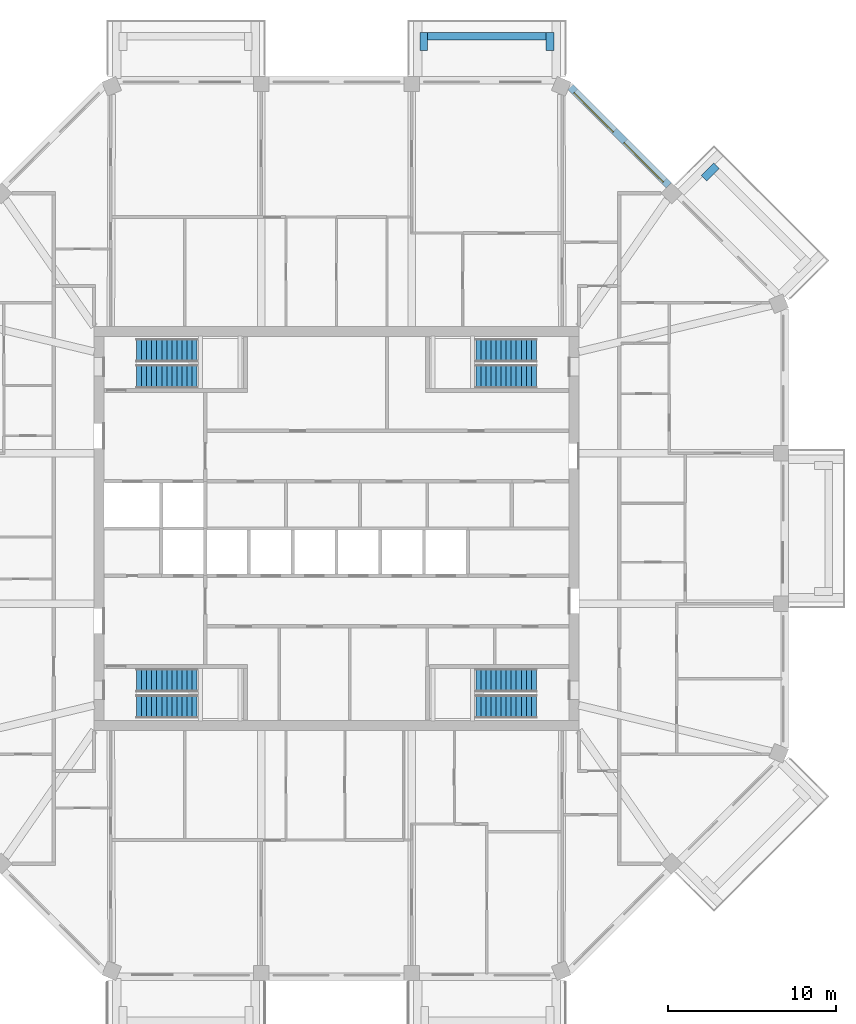
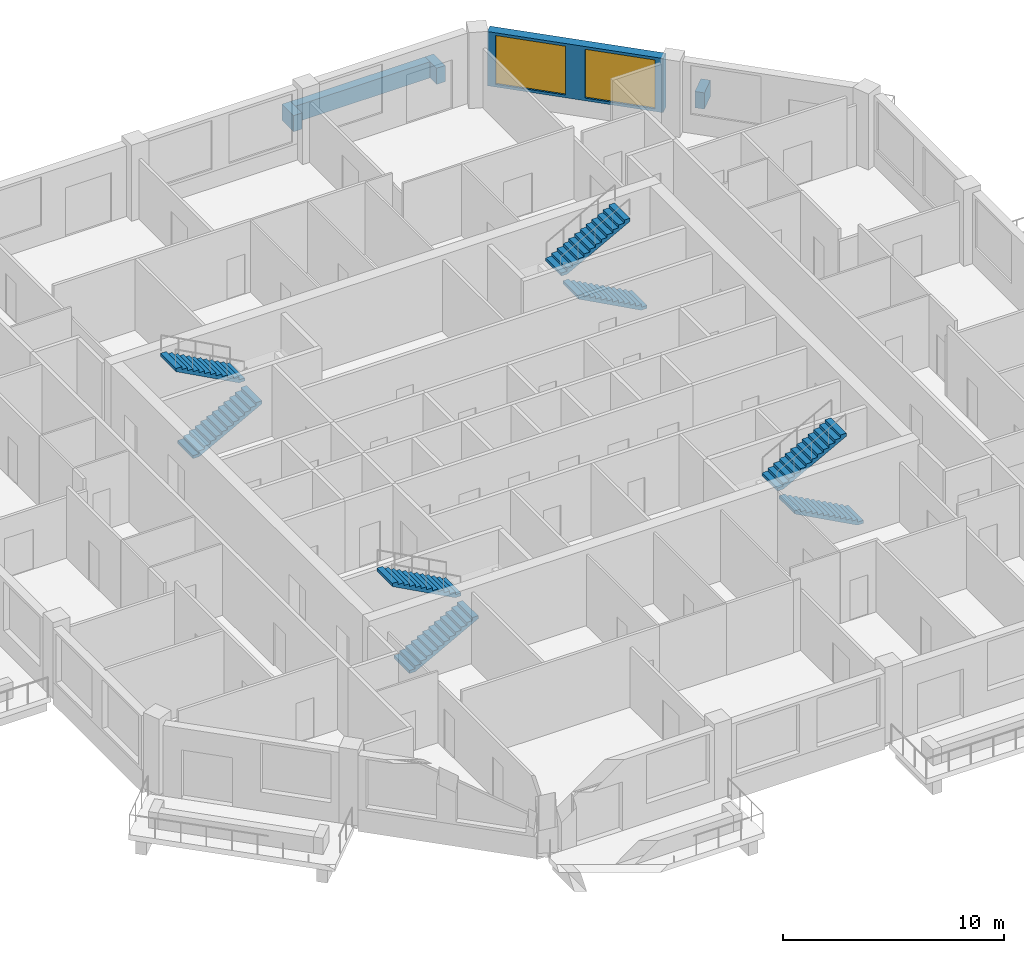
# One storey, part 10 of 12: 8 stair flights, 5 walls, 2 windows, 2 openings, 4 elements without a shape of their own.
"""IFC4 building model written with IfcOpenShell, lengths in metres."""

import ifcopenshell
import ifcopenshell.guid

model = None  # the IFC model being written
_history = None  # IfcOwnerHistory: only IFC2X3 demands one
_inside = {}  # id of a spatial element -> (the spatial element, [elements in it])
_under = {}  # id of a project, library or spatial element -> (it, [spatial elements below it])
_declared = {}  # id of a project -> (the project, [libraries it declares])
_typed = {}  # id of a type object -> (the type object, [elements of that type])
_made_of = {}  # id of a material, layer set ... -> (it, [elements and type objects made of it])


def new_model(schema):
    """Start an empty IFC model of exactly this schema.

    Asked for "IFC4X3", IfcOpenShell would pick the latest addendum, in which some entities
    have other attributes; the version numbers below select the first issue.
    IFC2X3 requires an IfcOwnerHistory on every rooted entity: one is made here for all.
    """
    global model, _history
    if schema == "IFC4X3":
        model = ifcopenshell.file(schema_version=(4, 3, 0, 0))
    else:
        model = ifcopenshell.file(schema=schema)
    _inside.clear()
    _under.clear()
    _declared.clear()
    _typed.clear()
    _made_of.clear()
    _history = None
    if model.schema == "IFC2X3":
        org = make("IfcOrganization", Name="unknown")
        user = make(
            "IfcPersonAndOrganization",
            ThePerson=make("IfcPerson", FamilyName="unknown"),
            TheOrganization=org,
        )
        app = make(
            "IfcApplication",
            ApplicationDeveloper=org,
            Version="unknown",
            ApplicationFullName="unknown",
            ApplicationIdentifier="unknown",
        )
        _history = make(
            "IfcOwnerHistory",
            OwningUser=user,
            OwningApplication=app,
            ChangeAction="ADDED",
            CreationDate=0,
        )
    return model


def make(cls, **values):
    """One entity of the class cls with the attributes given. An attribute that is None is left unset."""
    return model.create_entity(
        cls, **{name: value for name, value in values.items() if value is not None}
    )


def rooted(cls, **values):
    """An entity with a GlobalId (a new one), such as an element, a storey or a relation."""
    return make(cls, GlobalId=ifcopenshell.guid.new(), OwnerHistory=_history, **values)


def si_unit(unit_type, name, prefix=None):
    """IfcSIUnit, for example si_unit("LENGTHUNIT", "METRE", prefix="MILLI")."""
    return make("IfcSIUnit", UnitType=unit_type, Prefix=prefix, Name=name)


def assignment(units):
    """IfcUnitAssignment: the units of a project."""
    return None if units is None else make("IfcUnitAssignment", Units=units)


def point(xyz):
    """IfcCartesianPoint."""
    return None if xyz is None else make("IfcCartesianPoint", Coordinates=xyz)


def direction(xyz):
    """IfcDirection."""
    return None if xyz is None else make("IfcDirection", DirectionRatios=xyz)


def frame(location, z_axis=None, x_axis=None):
    """IfcAxis2Placement3D, a coordinate frame: its origin and axes. An axis left out is left unset."""
    return make(
        "IfcAxis2Placement3D",
        Location=point(location),
        Axis=direction(z_axis),
        RefDirection=direction(x_axis),
    )


def frame_2d(location, x_axis=None):
    """IfcAxis2Placement2D, a coordinate frame in the plane: its origin and x axis."""
    return make(
        "IfcAxis2Placement2D", Location=point(location), RefDirection=direction(x_axis)
    )


def origin():
    """The frame at (0, 0, 0) with its axes left unset."""
    return frame((0.0, 0.0, 0.0))


def place(relative_to, where):
    """IfcLocalPlacement: puts the frame where relative to a parent placement (None: the world)."""
    return make(
        "IfcLocalPlacement", PlacementRelTo=relative_to, RelativePlacement=where
    )


def context(
    kind, dimensions, precision=None, world=None, true_north=None, identifier=None
):
    """IfcGeometricRepresentationContext, for example the 3D "Model" context."""
    return make(
        "IfcGeometricRepresentationContext",
        ContextIdentifier=identifier,
        ContextType=kind,
        CoordinateSpaceDimension=dimensions,
        Precision=precision,
        WorldCoordinateSystem=world,
        TrueNorth=true_north,
    )


def subcontext(parent, identifier, kind, view, scale=None):
    """IfcGeometricRepresentationSubContext, for example "Body" below "Model"."""
    return make(
        "IfcGeometricRepresentationSubContext",
        ContextIdentifier=identifier,
        ContextType=kind,
        ParentContext=parent,
        TargetScale=scale,
        TargetView=view,
    )


def project(units=None, contexts=None):
    """IfcProject with its units and contexts."""
    return rooted(
        "IfcProject",
        Name="project",
        RepresentationContexts=contexts,
        UnitsInContext=assignment(units),
    )


def spatial(cls, under=None, at=None, **own):
    """A site, building, storey or space (cls), placed at a placement, below another one or the project."""
    s = rooted(cls, ObjectPlacement=at, **own)
    if under is not None:
        _under.setdefault(under.id(), (under, []))[1].append(s)
    return s


def polyline(points):
    """IfcPolyline through the points."""
    return make("IfcPolyline", Points=[point(p) for p in points])


def profile(cls, at=None, kind="AREA", **sizes):
    """A parametric profile (cls). Its sizes go by their IFC names, for example OverallWidth=200.0."""
    return make(cls, ProfileType=kind, Position=at, **sizes)


def rectangle(**sizes):
    """IfcRectangleProfileDef."""
    return profile("IfcRectangleProfileDef", **sizes)


def outline(outer, holes=None, kind="AREA"):
    """IfcArbitraryClosedProfileDef: a profile drawn as a closed curve; with holes, ...WithVoids."""
    if holes is None:
        return make("IfcArbitraryClosedProfileDef", ProfileType=kind, OuterCurve=outer)
    return make(
        "IfcArbitraryProfileDefWithVoids",
        ProfileType=kind,
        OuterCurve=outer,
        InnerCurves=holes,
    )


def extrude(swept, where, along, depth):
    """IfcExtrudedAreaSolid: the profile swept, set in the frame where, extruded along a direction by depth."""
    return make(
        "IfcExtrudedAreaSolid",
        SweptArea=swept,
        Position=where,
        ExtrudedDirection=direction(along),
        Depth=depth,
    )


def shape(context_of_items, identifier, shape_type, items):
    """IfcShapeRepresentation: the items that make up one representation, for example the "Body"."""
    return make(
        "IfcShapeRepresentation",
        ContextOfItems=context_of_items,
        RepresentationIdentifier=identifier,
        RepresentationType=shape_type,
        Items=items,
    )


def material(Name=None, Category=None):
    """IfcMaterial."""
    return make("IfcMaterial", Name=Name, Category=Category)


def layer(
    of_material, thickness, ventilated=None, Name=None, Category=None, Priority=None
):
    """IfcMaterialLayer: one layer of a wall or slab, of a material (None: an air gap)."""
    return make(
        "IfcMaterialLayer",
        Material=of_material,
        LayerThickness=thickness,
        IsVentilated=ventilated,
        Name=Name,
        Category=Category,
        Priority=Priority,
    )


def layer_set(layers, Name=None):
    """IfcMaterialLayerSet."""
    return make("IfcMaterialLayerSet", MaterialLayers=layers, LayerSetName=Name)


def made_of(thing, what):
    """Note that an element or type object is made of a material, layer set ...; save() writes the relation."""
    if what is not None:
        _made_of.setdefault(what.id(), (what, []))[1].append(thing)
    return thing


def type_object(cls, material=None, **own):
    """A type object (cls), such as IfcWallType, which elements share."""
    return made_of(rooted(cls, **own), material)


def element(
    cls,
    number,
    at=None,
    inside=None,
    cuts=None,
    type_object=None,
    material=None,
    context=None,
    identifier="Body",
    shape_type=None,
    held_by="IfcProductDefinitionShape",
    body=None,
    shapes=None,
    **own,
):
    """One element of the class cls, such as IfcWall. Its Tag is "e" and its number.

    at: its placement. inside: the storey or other place that contains it. cuts: it is an
    opening in that element (IfcRelVoidsElement). A single representation is given by context,
    identifier, shape_type and body (its items); several are given by shapes. held_by: the class
    of the entity that holds the representations. save() writes the other relations.
    """
    e = rooted(cls, Tag="e%d" % number, ObjectPlacement=at, **own)
    if body is not None:
        shapes = [shape(context, identifier, shape_type, body)]
    if shapes is not None:
        e.Representation = make(held_by, Representations=shapes)
    if inside is not None:
        _inside.setdefault(inside.id(), (inside, []))[1].append(e)
    if cuts is not None:
        rooted(
            "IfcRelVoidsElement", RelatingBuildingElement=cuts, RelatedOpeningElement=e
        )
    if type_object is not None:
        _typed.setdefault(type_object.id(), (type_object, []))[1].append(e)
    return made_of(e, material)


def fill(opening, filler):
    """IfcRelFillsElement: the door or window that sits in an opening."""
    return rooted(
        "IfcRelFillsElement",
        RelatingOpeningElement=opening,
        RelatedBuildingElement=filler,
    )


def aggregate(whole, parts):
    """IfcRelAggregates: a whole, such as a stair, and the parts it consists of."""
    return rooted("IfcRelAggregates", RelatingObject=whole, RelatedObjects=parts)


def save(model, path):
    """Write the relations noted so far, then the file.

    IfcRelAggregates (storeys below a building ...), IfcRelContainedInSpatialStructure (elements
    in a storey), IfcRelDefinesByType, IfcRelAssociatesMaterial and IfcRelDeclares: one each for
    every whole, place, type object, material and project.
    """
    for whole, parts in _under.values():
        aggregate(whole, parts)
    for where, things in _inside.values():
        rooted(
            "IfcRelContainedInSpatialStructure",
            RelatedElements=things,
            RelatingStructure=where,
        )
    for kind, things in _typed.values():
        rooted("IfcRelDefinesByType", RelatedObjects=things, RelatingType=kind)
    for what, things in _made_of.values():
        rooted("IfcRelAssociatesMaterial", RelatedObjects=things, RelatingMaterial=what)
    for by, libraries in _declared.values():
        rooted("IfcRelDeclares", RelatingContext=by, RelatedDefinitions=libraries)
    model.write(path)


model = new_model("IFC4")

# Units and contexts
model_context = context("Model", 3, precision=1e-05, world=origin(), true_north=direction((0.0, 1.0)))
body_context = subcontext(model_context, "Body", "Model", "MODEL_VIEW")
ifc_project = project(units=[si_unit("LENGTHUNIT", "METRE"), si_unit("AREAUNIT", "SQUARE_METRE"), si_unit("VOLUMEUNIT", "CUBIC_METRE"), si_unit("PLANEANGLEUNIT", "RADIAN"), si_unit("MASSUNIT", "GRAM", prefix="KILO")], contexts=[model_context])

# Site, building, storey
site_placement = place(None, origin())
site = spatial("IfcSite", under=ifc_project, at=site_placement, CompositionType="ELEMENT")
building_placement = place(site_placement, origin())
building = spatial("IfcBuilding", under=site, at=building_placement, Name="Msitu Wima Residences", CompositionType="ELEMENT")
storey_placement = place(building_placement, frame((0.0, 0.0, 222.300048828125)))
storey = spatial("IfcBuildingStorey", under=building, at=storey_placement, Name="L51", CompositionType="ELEMENT", Elevation=222.300048828125)

# Walls
ifc_material_1 = material(Name="Facing brick")
ifc_layer_1 = layer(ifc_material_1, 0.06494140625, Name="Facing brick")
ifc_material_2 = material(Name="Concrete C40/50", Category="concrete")
ifc_layer_2 = layer(ifc_material_2, 0.156005859375, Name="Concrete C40/50")
ifc_material_3 = material(Name="Waterproofing membrane")
ifc_layer_3 = layer(ifc_material_3, 0.00390625, Name="Waterproofing membrane")
ifc_material_4 = material(Name="Planting soil and planting")
ifc_layer_4 = layer(ifc_material_4, 0.22509765625, Name="Planting soil and planting")
ifc_layer_set_1 = layer_set([ifc_layer_1, ifc_layer_2, ifc_layer_3, ifc_layer_4], Name="Concrete C40/50")
wall_type_1 = type_object("IfcWallType", Name="Balcony planter PLANTER PL450", PredefinedType="USERDEFINED", material=ifc_layer_set_1)
wall_1_placement = place(storey_placement, frame((21.829833984375, 20.804443359375, 0.0), z_axis=(0.0, 0.0, 1.0), x_axis=(0.707106781187, 0.707106781187, 0.0)))
element("IfcWall", 1, at=wall_1_placement, inside=storey, type_object=wall_type_1, Name="Balcony planter NE0 L51", ObjectType="PLANTER", PredefinedType="USERDEFINED", context=body_context, shape_type="SweptSolid", body=[
    extrude(rectangle(XDim=1.050048828125, YDim=0.449951171875, at=frame_2d((0.52490234375, 0.0))), origin(), (0.0, 0.0, 1.0), 0.89990234375),
])
wall_2_placement = place(storey_placement, frame((12.455810546875, 29.22509765625, 0.0), z_axis=(0.0, 0.0, 1.0), x_axis=(-1.0, 0.0, 0.0)))
element("IfcWall", 2, at=wall_2_placement, inside=storey, type_object=wall_type_1, Name="Balcony planter N0 L51", ObjectType="PLANTER", PredefinedType="USERDEFINED", context=body_context, shape_type="SweptSolid", body=[
    extrude(rectangle(XDim=7.037109375, YDim=0.449951171875, at=frame_2d((3.5185546875, 0.0))), origin(), (0.0, 0.0, 1.0), 0.89990234375),
])
for number, where, z_axis, x_axis, name in (
    (3, (12.680908203125, 28.39990234375, 0.0), (0.0, 0.0, 1.0), (0.0, 1.0, 0.0), "Balcony planter N0 L51"),
    (4, (5.193603515625, 28.39990234375, 0.0), (0.0, 0.0, 1.0), (0.0, 1.0, 0.0), "Balcony planter N0 L51"),
):
    element("IfcWall", number, at=place(storey_placement, frame(where, z_axis=z_axis, x_axis=x_axis)), inside=storey, type_object=wall_type_1, Name=name, ObjectType="PLANTER", PredefinedType="USERDEFINED", context=body_context, shape_type="SweptSolid", body=[
        extrude(rectangle(XDim=1.050048828125, YDim=0.449951171875, at=frame_2d((0.52490234375, 0.0))), origin(), (0.0, 0.0, 1.0), 0.89990234375),
    ])

# Wall, openings, windows
ifc_material_5 = material(Name="Brick (red buff mix)", Category="masonry")
ifc_layer_5 = layer(ifc_material_5, 0.449951171875)
ifc_layer_set_2 = layer_set([ifc_layer_5], Name="Brick (red buff mix)")
wall_type_2 = type_object("IfcWallType", Name="Brick infill wall BW450", PredefinedType="SOLIDWALL", material=ifc_layer_set_2)
wall_3_placement = place(storey_placement, frame((19.743896484375, 20.380126953125, 0.89990234375), z_axis=(0.0, 0.0, 1.0), x_axis=(-0.707106781187, 0.707106781187, 0.0)))
wall_3 = element("IfcWall", 5, at=wall_3_placement, inside=storey, type_object=wall_type_2, Name="Brick infill wall L51 NE1", PredefinedType="SOLIDWALL", context=body_context, shape_type="SweptSolid", body=[
    extrude(rectangle(XDim=8.251220703125, YDim=0.449951171875, at=frame_2d((4.12548828125, 0.0))), origin(), (0.0, 0.0, 1.0), 3.0),
])
opening_1_placement = place(wall_3_placement, frame((0.37548828125, 0.0, 0.14990234375)))
opening_1 = element("IfcOpeningElement", 6, at=opening_1_placement, cuts=wall_3, Name="Opening W50-51.011", PredefinedType="OPENING", context=body_context, shape_type="SweptSolid", body=[
    extrude(rectangle(XDim=3.300048828125, YDim=2.699951171875, at=frame_2d((1.64990234375, 1.35009765625))), frame((0.0, 0.23486328125, 0.0), z_axis=(0.0, -1.0, 0.0), x_axis=(1.0, 0.0, 0.0)), (0.0, 0.0, 1.0), 0.469970703125),
])
opening_2_placement = place(wall_3_placement, frame((4.57568359375, 0.0, 0.14990234375)))
opening_2 = element("IfcOpeningElement", 7, at=opening_2_placement, cuts=wall_3, Name="Opening W50-51.012", PredefinedType="OPENING", context=body_context, shape_type="SweptSolid", body=[
    extrude(rectangle(XDim=3.300048828125, YDim=2.699951171875, at=frame_2d((1.64990234375, 1.35009765625))), frame((0.0, 0.23486328125, 0.0), z_axis=(0.0, -1.0, 0.0), x_axis=(1.0, 0.0, 0.0)), (0.0, 0.0, 1.0), 0.469970703125),
])
ifc_material_6 = material(Name="Anodised aluminium, bronze finish, clear low-emissivity double glazing", Category="aluminium")
window_type = type_object("IfcWindowType", Name="Window W3300x2700", PartitioningType="DOUBLE_PANEL_VERTICAL", PredefinedType="WINDOW", material=ifc_material_6)
window_1_placement = place(opening_1_placement, origin())
window_1 = element("IfcWindow", 8, at=window_1_placement, inside=storey, type_object=window_type, Name="Window L51 NE1.1", OverallHeight=2.699951171875, OverallWidth=3.300048828125, PartitioningType="SINGLE_PANEL", PredefinedType="WINDOW", context=body_context, shape_type="SweptSolid", body=[
    extrude(rectangle(XDim=3.300048828125, YDim=2.699951171875, at=frame_2d((1.64990234375, 1.35009765625))), frame((0.0, 0.135009765625, 0.0), z_axis=(0.0, -1.0, 0.0), x_axis=(1.0, 0.0, 0.0)), (0.0, 0.0, 1.0), 0.06005859375),
])
fill(opening_1, window_1)
window_2_placement = place(opening_2_placement, origin())
window_2 = element("IfcWindow", 9, at=window_2_placement, inside=storey, type_object=window_type, Name="Window L51 NE1.2", OverallHeight=2.699951171875, OverallWidth=3.300048828125, PartitioningType="SINGLE_PANEL", PredefinedType="WINDOW", context=body_context, shape_type="SweptSolid", body=[
    extrude(rectangle(XDim=3.300048828125, YDim=2.699951171875, at=frame_2d((1.64990234375, 1.35009765625))), frame((0.0, 0.135009765625, 0.0), z_axis=(0.0, -1.0, 0.0), x_axis=(1.0, 0.0, 0.0)), (0.0, 0.0, 1.0), 0.06005859375),
])
fill(opening_2, window_2)

# Stair, stair flights
stair_type = type_object("IfcStairType", Name="Exit stair ES1615-140", PredefinedType="HALF_TURN_STAIR", material=ifc_material_2)
stair_1_placement = place(storey_placement, origin())
stair_1 = element("IfcStair", 10, at=stair_1_placement, inside=storey, type_object=stair_type, Name="Exit stair 1", PredefinedType="HALF_TURN_STAIR")
stair_flight_type = type_object("IfcStairFlightType", Name="Exit stair flight ES1615-140", PredefinedType="STRAIGHT", material=ifc_material_2)
stair_flight_1_placement = place(storey_placement, frame((-11.875, 9.02490234375, 0.0), z_axis=(0.0, 0.0, 1.0), x_axis=(1.0, 0.0, 0.0)))
stair_flight_1 = element("IfcStairFlight", 11, at=stair_flight_1_placement, type_object=stair_flight_type, Name="S1 flight 1", NumberOfRisers=13, NumberOfTreads=12, PredefinedType="STRAIGHT", RiserHeight=0.161538462, TreadLength=0.3, context=body_context, shape_type="SweptSolid", body=[
    extrude(outline(polyline([(0.0, 0.0), (0.0, 0.16162109375), (0.300048828125, 0.16162109375), (0.300048828125, 0.322998046875), (0.60009765625, 0.322998046875), (0.60009765625, 0.484619140625), (0.89990234375, 0.484619140625), (0.89990234375, 0.646240234375), (1.199951171875, 0.646240234375), (1.199951171875, 0.8076171875), (1.5, 0.8076171875), (1.5, 0.96923828125), (1.800048828125, 0.96923828125), (1.800048828125, 1.130859375), (2.10009765625, 1.130859375), (2.10009765625, 1.292236328125), (2.39990234375, 1.292236328125), (2.39990234375, 1.453857421875), (2.699951171875, 1.453857421875), (2.699951171875, 1.615478515625), (3.0, 1.615478515625), (3.0, 1.77685546875), (3.300048828125, 1.77685546875), (3.300048828125, 1.9384765625), (3.60009765625, 1.9384765625), (3.60009765625, 2.10009765625), (3.60009765625, 1.768310546875), (0.316162109375, 0.0), (0.0, 0.0)])), frame((0.0, 0.699951171875, 0.0), z_axis=(0.0, -1.0, 0.0), x_axis=(1.0, 0.0, 0.0)), (0.0, 0.0, 1.0), 1.39990234375),
])
stair_flight_2_placement = place(storey_placement, frame((-8.27490234375, 10.574951171875, 2.099853515625), z_axis=(0.0, 0.0, 1.0), x_axis=(-1.0, 0.0, 0.0)))
stair_flight_2 = element("IfcStairFlight", 12, at=stair_flight_2_placement, type_object=stair_flight_type, Name="S1 flight 2", NumberOfRisers=13, NumberOfTreads=12, PredefinedType="STRAIGHT", RiserHeight=0.161538462, TreadLength=0.3, context=body_context, shape_type="SweptSolid", body=[
    extrude(outline(polyline([(0.0, 0.0), (0.0, 0.16162109375), (0.300048828125, 0.16162109375), (0.300048828125, 0.322998046875), (0.60009765625, 0.322998046875), (0.60009765625, 0.484619140625), (0.89990234375, 0.484619140625), (0.89990234375, 0.646240234375), (1.199951171875, 0.646240234375), (1.199951171875, 0.8076171875), (1.5, 0.8076171875), (1.5, 0.96923828125), (1.800048828125, 0.96923828125), (1.800048828125, 1.130859375), (2.10009765625, 1.130859375), (2.10009765625, 1.292236328125), (2.39990234375, 1.292236328125), (2.39990234375, 1.453857421875), (2.699951171875, 1.453857421875), (2.699951171875, 1.615478515625), (3.0, 1.615478515625), (3.0, 1.77685546875), (3.300048828125, 1.77685546875), (3.300048828125, 1.9384765625), (3.60009765625, 1.9384765625), (3.60009765625, 2.10009765625), (3.60009765625, 1.768310546875), (0.316162109375, 0.0), (0.0, 0.0)])), frame((0.0, 0.699951171875, 0.0), z_axis=(0.0, -1.0, 0.0), x_axis=(1.0, 0.0, 0.0)), (0.0, 0.0, 1.0), 1.39990234375),
])
aggregate(stair_1, [stair_flight_1, stair_flight_2])

stair_2_placement = place(storey_placement, origin())
stair_2 = element("IfcStair", 13, at=stair_2_placement, inside=storey, type_object=stair_type, Name="Exit stair 2", PredefinedType="HALF_TURN_STAIR")
stair_flight_3_placement = place(storey_placement, frame((-11.875, -10.574951171875, 0.0), z_axis=(0.0, 0.0, 1.0), x_axis=(1.0, 0.0, 0.0)))
stair_flight_3 = element("IfcStairFlight", 14, at=stair_flight_3_placement, type_object=stair_flight_type, Name="S2 flight 1", NumberOfRisers=13, NumberOfTreads=12, PredefinedType="STRAIGHT", RiserHeight=0.161538462, TreadLength=0.3, context=body_context, shape_type="SweptSolid", body=[
    extrude(outline(polyline([(0.0, 0.0), (0.0, 0.16162109375), (0.300048828125, 0.16162109375), (0.300048828125, 0.322998046875), (0.60009765625, 0.322998046875), (0.60009765625, 0.484619140625), (0.89990234375, 0.484619140625), (0.89990234375, 0.646240234375), (1.199951171875, 0.646240234375), (1.199951171875, 0.8076171875), (1.5, 0.8076171875), (1.5, 0.96923828125), (1.800048828125, 0.96923828125), (1.800048828125, 1.130859375), (2.10009765625, 1.130859375), (2.10009765625, 1.292236328125), (2.39990234375, 1.292236328125), (2.39990234375, 1.453857421875), (2.699951171875, 1.453857421875), (2.699951171875, 1.615478515625), (3.0, 1.615478515625), (3.0, 1.77685546875), (3.300048828125, 1.77685546875), (3.300048828125, 1.9384765625), (3.60009765625, 1.9384765625), (3.60009765625, 2.10009765625), (3.60009765625, 1.768310546875), (0.316162109375, 0.0), (0.0, 0.0)])), frame((0.0, 0.699951171875, 0.0), z_axis=(0.0, -1.0, 0.0), x_axis=(1.0, 0.0, 0.0)), (0.0, 0.0, 1.0), 1.39990234375),
])
stair_flight_4_placement = place(storey_placement, frame((-8.27490234375, -9.02490234375, 2.099853515625), z_axis=(0.0, 0.0, 1.0), x_axis=(-1.0, 0.0, 0.0)))
stair_flight_4 = element("IfcStairFlight", 15, at=stair_flight_4_placement, type_object=stair_flight_type, Name="S2 flight 2", NumberOfRisers=13, NumberOfTreads=12, PredefinedType="STRAIGHT", RiserHeight=0.161538462, TreadLength=0.3, context=body_context, shape_type="SweptSolid", body=[
    extrude(outline(polyline([(0.0, 0.0), (0.0, 0.16162109375), (0.300048828125, 0.16162109375), (0.300048828125, 0.322998046875), (0.60009765625, 0.322998046875), (0.60009765625, 0.484619140625), (0.89990234375, 0.484619140625), (0.89990234375, 0.646240234375), (1.199951171875, 0.646240234375), (1.199951171875, 0.8076171875), (1.5, 0.8076171875), (1.5, 0.96923828125), (1.800048828125, 0.96923828125), (1.800048828125, 1.130859375), (2.10009765625, 1.130859375), (2.10009765625, 1.292236328125), (2.39990234375, 1.292236328125), (2.39990234375, 1.453857421875), (2.699951171875, 1.453857421875), (2.699951171875, 1.615478515625), (3.0, 1.615478515625), (3.0, 1.77685546875), (3.300048828125, 1.77685546875), (3.300048828125, 1.9384765625), (3.60009765625, 1.9384765625), (3.60009765625, 2.10009765625), (3.60009765625, 1.768310546875), (0.316162109375, 0.0), (0.0, 0.0)])), frame((0.0, 0.699951171875, 0.0), z_axis=(0.0, -1.0, 0.0), x_axis=(1.0, 0.0, 0.0)), (0.0, 0.0, 1.0), 1.39990234375),
])
aggregate(stair_2, [stair_flight_3, stair_flight_4])

stair_3_placement = place(storey_placement, origin())
stair_3 = element("IfcStair", 16, at=stair_3_placement, inside=storey, type_object=stair_type, Name="Exit stair 3", PredefinedType="HALF_TURN_STAIR")
stair_flight_5_placement = place(storey_placement, frame((11.875, 9.02490234375, 0.0), z_axis=(0.0, 0.0, 1.0), x_axis=(-1.0, 0.0, 0.0)))
stair_flight_5 = element("IfcStairFlight", 17, at=stair_flight_5_placement, type_object=stair_flight_type, Name="S3 flight 1", NumberOfRisers=13, NumberOfTreads=12, PredefinedType="STRAIGHT", RiserHeight=0.161538462, TreadLength=0.3, context=body_context, shape_type="SweptSolid", body=[
    extrude(outline(polyline([(0.0, 0.0), (0.0, 0.16162109375), (0.300048828125, 0.16162109375), (0.300048828125, 0.322998046875), (0.60009765625, 0.322998046875), (0.60009765625, 0.484619140625), (0.89990234375, 0.484619140625), (0.89990234375, 0.646240234375), (1.199951171875, 0.646240234375), (1.199951171875, 0.8076171875), (1.5, 0.8076171875), (1.5, 0.96923828125), (1.800048828125, 0.96923828125), (1.800048828125, 1.130859375), (2.10009765625, 1.130859375), (2.10009765625, 1.292236328125), (2.39990234375, 1.292236328125), (2.39990234375, 1.453857421875), (2.699951171875, 1.453857421875), (2.699951171875, 1.615478515625), (3.0, 1.615478515625), (3.0, 1.77685546875), (3.300048828125, 1.77685546875), (3.300048828125, 1.9384765625), (3.60009765625, 1.9384765625), (3.60009765625, 2.10009765625), (3.60009765625, 1.768310546875), (0.316162109375, 0.0), (0.0, 0.0)])), frame((0.0, 0.699951171875, 0.0), z_axis=(0.0, -1.0, 0.0), x_axis=(1.0, 0.0, 0.0)), (0.0, 0.0, 1.0), 1.39990234375),
])
stair_flight_6_placement = place(storey_placement, frame((8.27490234375, 10.574951171875, 2.099853515625), z_axis=(0.0, 0.0, 1.0), x_axis=(1.0, 0.0, 0.0)))
stair_flight_6 = element("IfcStairFlight", 18, at=stair_flight_6_placement, type_object=stair_flight_type, Name="S3 flight 2", NumberOfRisers=13, NumberOfTreads=12, PredefinedType="STRAIGHT", RiserHeight=0.161538462, TreadLength=0.3, context=body_context, shape_type="SweptSolid", body=[
    extrude(outline(polyline([(0.0, 0.0), (0.0, 0.16162109375), (0.300048828125, 0.16162109375), (0.300048828125, 0.322998046875), (0.60009765625, 0.322998046875), (0.60009765625, 0.484619140625), (0.89990234375, 0.484619140625), (0.89990234375, 0.646240234375), (1.199951171875, 0.646240234375), (1.199951171875, 0.8076171875), (1.5, 0.8076171875), (1.5, 0.96923828125), (1.800048828125, 0.96923828125), (1.800048828125, 1.130859375), (2.10009765625, 1.130859375), (2.10009765625, 1.292236328125), (2.39990234375, 1.292236328125), (2.39990234375, 1.453857421875), (2.699951171875, 1.453857421875), (2.699951171875, 1.615478515625), (3.0, 1.615478515625), (3.0, 1.77685546875), (3.300048828125, 1.77685546875), (3.300048828125, 1.9384765625), (3.60009765625, 1.9384765625), (3.60009765625, 2.10009765625), (3.60009765625, 1.768310546875), (0.316162109375, 0.0), (0.0, 0.0)])), frame((0.0, 0.699951171875, 0.0), z_axis=(0.0, -1.0, 0.0), x_axis=(1.0, 0.0, 0.0)), (0.0, 0.0, 1.0), 1.39990234375),
])
aggregate(stair_3, [stair_flight_5, stair_flight_6])

stair_4_placement = place(storey_placement, origin())
stair_4 = element("IfcStair", 19, at=stair_4_placement, inside=storey, type_object=stair_type, Name="Exit stair 4", PredefinedType="HALF_TURN_STAIR")
stair_flight_7_placement = place(storey_placement, frame((11.875, -10.574951171875, 0.0), z_axis=(0.0, 0.0, 1.0), x_axis=(-1.0, 0.0, 0.0)))
stair_flight_7 = element("IfcStairFlight", 20, at=stair_flight_7_placement, type_object=stair_flight_type, Name="S4 flight 1", NumberOfRisers=13, NumberOfTreads=12, PredefinedType="STRAIGHT", RiserHeight=0.161538462, TreadLength=0.3, context=body_context, shape_type="SweptSolid", body=[
    extrude(outline(polyline([(0.0, 0.0), (0.0, 0.16162109375), (0.300048828125, 0.16162109375), (0.300048828125, 0.322998046875), (0.60009765625, 0.322998046875), (0.60009765625, 0.484619140625), (0.89990234375, 0.484619140625), (0.89990234375, 0.646240234375), (1.199951171875, 0.646240234375), (1.199951171875, 0.8076171875), (1.5, 0.8076171875), (1.5, 0.96923828125), (1.800048828125, 0.96923828125), (1.800048828125, 1.130859375), (2.10009765625, 1.130859375), (2.10009765625, 1.292236328125), (2.39990234375, 1.292236328125), (2.39990234375, 1.453857421875), (2.699951171875, 1.453857421875), (2.699951171875, 1.615478515625), (3.0, 1.615478515625), (3.0, 1.77685546875), (3.300048828125, 1.77685546875), (3.300048828125, 1.9384765625), (3.60009765625, 1.9384765625), (3.60009765625, 2.10009765625), (3.60009765625, 1.768310546875), (0.316162109375, 0.0), (0.0, 0.0)])), frame((0.0, 0.699951171875, 0.0), z_axis=(0.0, -1.0, 0.0), x_axis=(1.0, 0.0, 0.0)), (0.0, 0.0, 1.0), 1.39990234375),
])
stair_flight_8_placement = place(storey_placement, frame((8.27490234375, -9.02490234375, 2.099853515625), z_axis=(0.0, 0.0, 1.0), x_axis=(1.0, 0.0, 0.0)))
stair_flight_8 = element("IfcStairFlight", 21, at=stair_flight_8_placement, type_object=stair_flight_type, Name="S4 flight 2", NumberOfRisers=13, NumberOfTreads=12, PredefinedType="STRAIGHT", RiserHeight=0.161538462, TreadLength=0.3, context=body_context, shape_type="SweptSolid", body=[
    extrude(outline(polyline([(0.0, 0.0), (0.0, 0.16162109375), (0.300048828125, 0.16162109375), (0.300048828125, 0.322998046875), (0.60009765625, 0.322998046875), (0.60009765625, 0.484619140625), (0.89990234375, 0.484619140625), (0.89990234375, 0.646240234375), (1.199951171875, 0.646240234375), (1.199951171875, 0.8076171875), (1.5, 0.8076171875), (1.5, 0.96923828125), (1.800048828125, 0.96923828125), (1.800048828125, 1.130859375), (2.10009765625, 1.130859375), (2.10009765625, 1.292236328125), (2.39990234375, 1.292236328125), (2.39990234375, 1.453857421875), (2.699951171875, 1.453857421875), (2.699951171875, 1.615478515625), (3.0, 1.615478515625), (3.0, 1.77685546875), (3.300048828125, 1.77685546875), (3.300048828125, 1.9384765625), (3.60009765625, 1.9384765625), (3.60009765625, 2.10009765625), (3.60009765625, 1.768310546875), (0.316162109375, 0.0), (0.0, 0.0)])), frame((0.0, 0.699951171875, 0.0), z_axis=(0.0, -1.0, 0.0), x_axis=(1.0, 0.0, 0.0)), (0.0, 0.0, 1.0), 1.39990234375),
])
aggregate(stair_4, [stair_flight_7, stair_flight_8])

save(model, "model.ifc")
